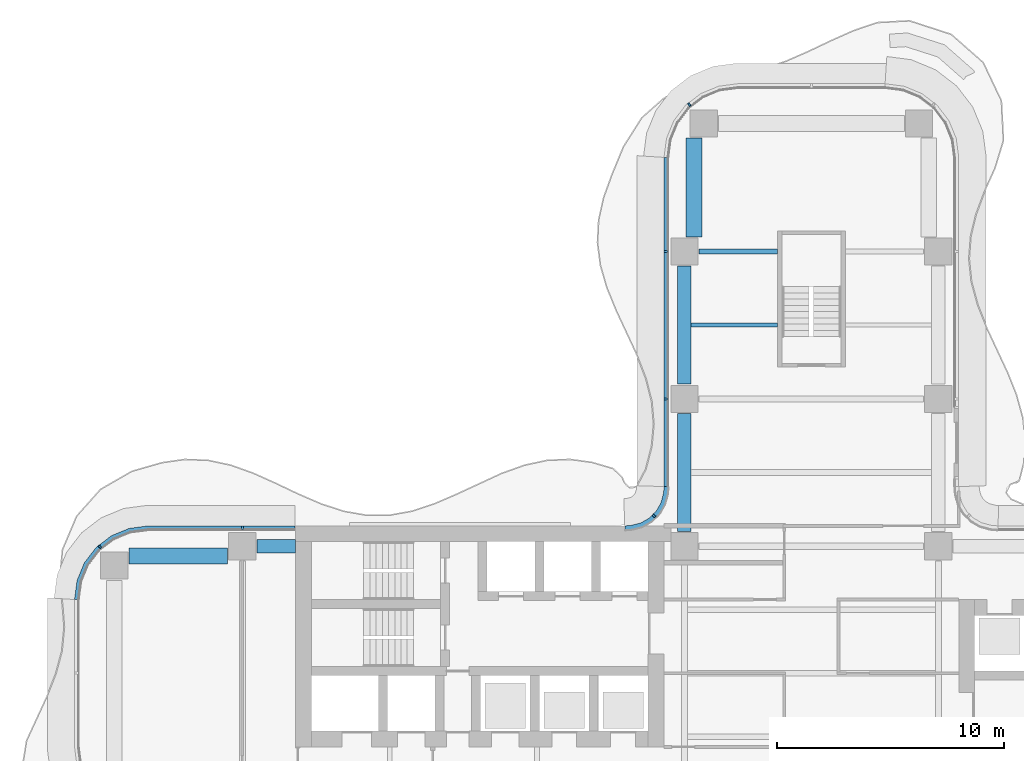
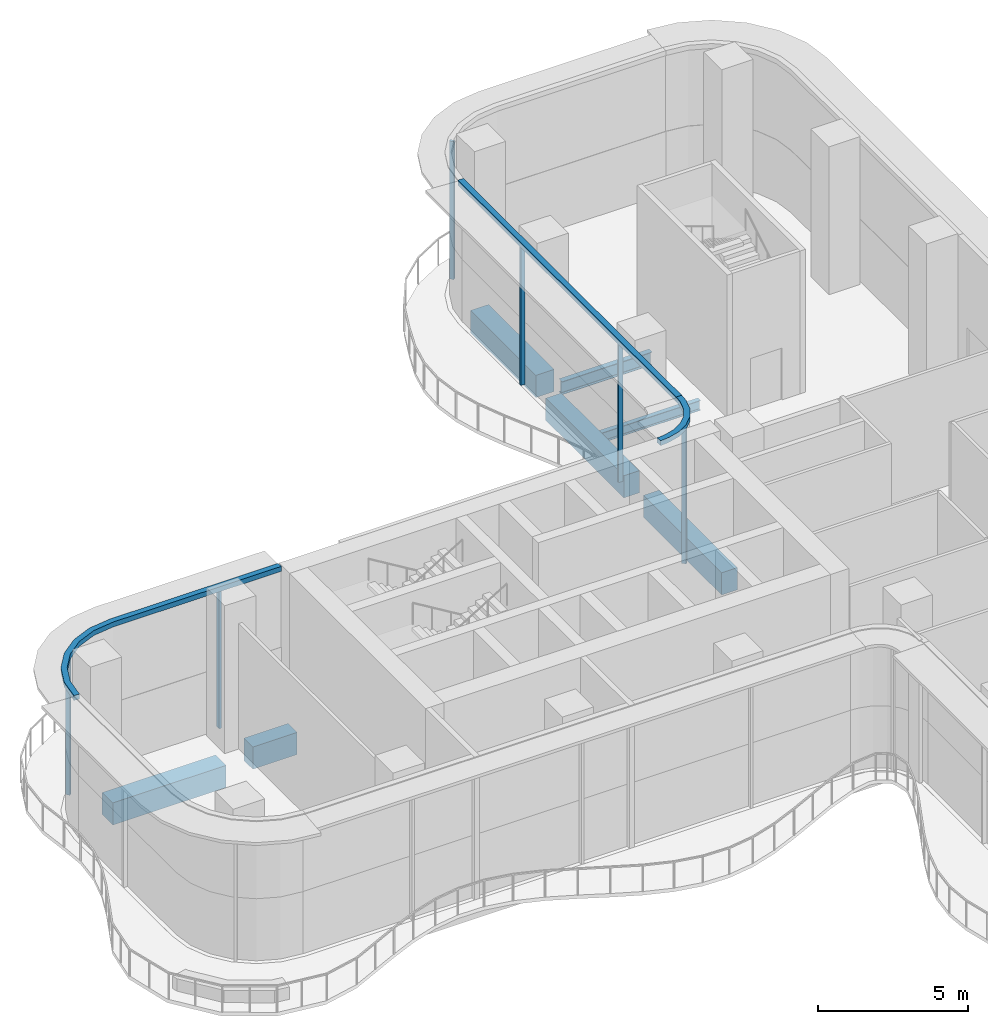
# One storey, part 6 of 19: 9 members, 7 beams, 4 elements without a shape of their own.
"""IFC4 building model written with IfcOpenShell, lengths in metres."""

import ifcopenshell
import ifcopenshell.guid

model = None  # the IFC model being written
_history = None  # IfcOwnerHistory: only IFC2X3 demands one
_inside = {}  # id of a spatial element -> (the spatial element, [elements in it])
_under = {}  # id of a project, library or spatial element -> (it, [spatial elements below it])
_declared = {}  # id of a project -> (the project, [libraries it declares])
_typed = {}  # id of a type object -> (the type object, [elements of that type])
_made_of = {}  # id of a material, layer set ... -> (it, [elements and type objects made of it])


def new_model(schema):
    """Start an empty IFC model of exactly this schema.

    Asked for "IFC4X3", IfcOpenShell would pick the latest addendum, in which some entities
    have other attributes; the version numbers below select the first issue.
    IFC2X3 requires an IfcOwnerHistory on every rooted entity: one is made here for all.
    """
    global model, _history
    if schema == "IFC4X3":
        model = ifcopenshell.file(schema_version=(4, 3, 0, 0))
    else:
        model = ifcopenshell.file(schema=schema)
    _inside.clear()
    _under.clear()
    _declared.clear()
    _typed.clear()
    _made_of.clear()
    _history = None
    if model.schema == "IFC2X3":
        org = make("IfcOrganization", Name="unknown")
        user = make(
            "IfcPersonAndOrganization",
            ThePerson=make("IfcPerson", FamilyName="unknown"),
            TheOrganization=org,
        )
        app = make(
            "IfcApplication",
            ApplicationDeveloper=org,
            Version="unknown",
            ApplicationFullName="unknown",
            ApplicationIdentifier="unknown",
        )
        _history = make(
            "IfcOwnerHistory",
            OwningUser=user,
            OwningApplication=app,
            ChangeAction="ADDED",
            CreationDate=0,
        )
    return model


def make(cls, **values):
    """One entity of the class cls with the attributes given. An attribute that is None is left unset."""
    return model.create_entity(
        cls, **{name: value for name, value in values.items() if value is not None}
    )


def rooted(cls, **values):
    """An entity with a GlobalId (a new one), such as an element, a storey or a relation."""
    return make(cls, GlobalId=ifcopenshell.guid.new(), OwnerHistory=_history, **values)


def si_unit(unit_type, name, prefix=None):
    """IfcSIUnit, for example si_unit("LENGTHUNIT", "METRE", prefix="MILLI")."""
    return make("IfcSIUnit", UnitType=unit_type, Prefix=prefix, Name=name)


def assignment(units):
    """IfcUnitAssignment: the units of a project."""
    return None if units is None else make("IfcUnitAssignment", Units=units)


def point(xyz):
    """IfcCartesianPoint."""
    return None if xyz is None else make("IfcCartesianPoint", Coordinates=xyz)


def direction(xyz):
    """IfcDirection."""
    return None if xyz is None else make("IfcDirection", DirectionRatios=xyz)


def frame(location, z_axis=None, x_axis=None):
    """IfcAxis2Placement3D, a coordinate frame: its origin and axes. An axis left out is left unset."""
    return make(
        "IfcAxis2Placement3D",
        Location=point(location),
        Axis=direction(z_axis),
        RefDirection=direction(x_axis),
    )


def frame_2d(location, x_axis=None):
    """IfcAxis2Placement2D, a coordinate frame in the plane: its origin and x axis."""
    return make(
        "IfcAxis2Placement2D", Location=point(location), RefDirection=direction(x_axis)
    )


def origin():
    """The frame at (0, 0, 0) with its axes left unset."""
    return frame((0.0, 0.0, 0.0))


def origin_2d():
    """The frame at (0, 0) in the plane with its x axis left unset."""
    return frame_2d((0.0, 0.0))


def place(relative_to, where):
    """IfcLocalPlacement: puts the frame where relative to a parent placement (None: the world)."""
    return make(
        "IfcLocalPlacement", PlacementRelTo=relative_to, RelativePlacement=where
    )


def context(
    kind, dimensions, precision=None, world=None, true_north=None, identifier=None
):
    """IfcGeometricRepresentationContext, for example the 3D "Model" context."""
    return make(
        "IfcGeometricRepresentationContext",
        ContextIdentifier=identifier,
        ContextType=kind,
        CoordinateSpaceDimension=dimensions,
        Precision=precision,
        WorldCoordinateSystem=world,
        TrueNorth=true_north,
    )


def subcontext(parent, identifier, kind, view, scale=None):
    """IfcGeometricRepresentationSubContext, for example "Body" below "Model"."""
    return make(
        "IfcGeometricRepresentationSubContext",
        ContextIdentifier=identifier,
        ContextType=kind,
        ParentContext=parent,
        TargetScale=scale,
        TargetView=view,
    )


def project(units=None, contexts=None):
    """IfcProject with its units and contexts."""
    return rooted(
        "IfcProject",
        Name="project",
        RepresentationContexts=contexts,
        UnitsInContext=assignment(units),
    )


def spatial(cls, under=None, at=None, **own):
    """A site, building, storey or space (cls), placed at a placement, below another one or the project."""
    s = rooted(cls, ObjectPlacement=at, **own)
    if under is not None:
        _under.setdefault(under.id(), (under, []))[1].append(s)
    return s


def polyline(points):
    """IfcPolyline through the points."""
    return make("IfcPolyline", Points=[point(p) for p in points])


def profile(cls, at=None, kind="AREA", **sizes):
    """A parametric profile (cls). Its sizes go by their IFC names, for example OverallWidth=200.0."""
    return make(cls, ProfileType=kind, Position=at, **sizes)


def rectangle(**sizes):
    """IfcRectangleProfileDef."""
    return profile("IfcRectangleProfileDef", **sizes)


def i_section(**sizes):
    """IfcIShapeProfileDef."""
    return profile("IfcIShapeProfileDef", **sizes)


def outline(outer, holes=None, kind="AREA"):
    """IfcArbitraryClosedProfileDef: a profile drawn as a closed curve; with holes, ...WithVoids."""
    if holes is None:
        return make("IfcArbitraryClosedProfileDef", ProfileType=kind, OuterCurve=outer)
    return make(
        "IfcArbitraryProfileDefWithVoids",
        ProfileType=kind,
        OuterCurve=outer,
        InnerCurves=holes,
    )


def extrude(swept, where, along, depth):
    """IfcExtrudedAreaSolid: the profile swept, set in the frame where, extruded along a direction by depth."""
    return make(
        "IfcExtrudedAreaSolid",
        SweptArea=swept,
        Position=where,
        ExtrudedDirection=direction(along),
        Depth=depth,
    )


def shape(context_of_items, identifier, shape_type, items):
    """IfcShapeRepresentation: the items that make up one representation, for example the "Body"."""
    return make(
        "IfcShapeRepresentation",
        ContextOfItems=context_of_items,
        RepresentationIdentifier=identifier,
        RepresentationType=shape_type,
        Items=items,
    )


def source(mapping_origin, context_of_items, identifier, shape_type, items):
    """IfcRepresentationMap: a shape defined once, which mapped items show again and again."""
    return make(
        "IfcRepresentationMap",
        MappingOrigin=mapping_origin,
        MappedRepresentation=shape(context_of_items, identifier, shape_type, items),
    )


def transform(
    local_origin,
    x_axis=None,
    y_axis=None,
    z_axis=None,
    scale=None,
    scale2=None,
    scale3=None,
    uniform=True,
):
    """IfcCartesianTransformationOperator3D, or its non-uniform kind. x_axis, y_axis, z_axis: its Axis1, 2, 3."""
    if uniform:
        return make(
            "IfcCartesianTransformationOperator3D",
            Axis1=direction(x_axis),
            Axis2=direction(y_axis),
            LocalOrigin=point(local_origin),
            Scale=scale,
            Axis3=direction(z_axis),
        )
    return make(
        "IfcCartesianTransformationOperator3DnonUniform",
        Axis1=direction(x_axis),
        Axis2=direction(y_axis),
        LocalOrigin=point(local_origin),
        Scale=scale,
        Axis3=direction(z_axis),
        Scale2=scale2,
        Scale3=scale3,
    )


def mapped(mapping_source, mapping_target):
    """IfcMappedItem: shows the shape of a source again, moved by a transform."""
    return make(
        "IfcMappedItem", MappingSource=mapping_source, MappingTarget=mapping_target
    )


def material(Name=None, Category=None):
    """IfcMaterial."""
    return make("IfcMaterial", Name=Name, Category=Category)


def layer(
    of_material, thickness, ventilated=None, Name=None, Category=None, Priority=None
):
    """IfcMaterialLayer: one layer of a wall or slab, of a material (None: an air gap)."""
    return make(
        "IfcMaterialLayer",
        Material=of_material,
        LayerThickness=thickness,
        IsVentilated=ventilated,
        Name=Name,
        Category=Category,
        Priority=Priority,
    )


def layer_set(layers, Name=None):
    """IfcMaterialLayerSet."""
    return make("IfcMaterialLayerSet", MaterialLayers=layers, LayerSetName=Name)


def material_profile(
    of_material, cross_section, Name=None, Category=None, Priority=None
):
    """IfcMaterialProfile: a cross section and its material."""
    return make(
        "IfcMaterialProfile",
        Name=Name,
        Material=of_material,
        Profile=cross_section,
        Priority=Priority,
        Category=Category,
    )


def profile_set(profiles, Name=None, composite=None):
    """IfcMaterialProfileSet."""
    return make(
        "IfcMaterialProfileSet",
        Name=Name,
        MaterialProfiles=profiles,
        CompositeProfile=composite,
    )


def made_of(thing, what):
    """Note that an element or type object is made of a material, layer set ...; save() writes the relation."""
    if what is not None:
        _made_of.setdefault(what.id(), (what, []))[1].append(thing)
    return thing


def type_object(cls, material=None, **own):
    """A type object (cls), such as IfcWallType, which elements share."""
    return made_of(rooted(cls, **own), material)


def element(
    cls,
    number,
    at=None,
    inside=None,
    cuts=None,
    type_object=None,
    material=None,
    context=None,
    identifier="Body",
    shape_type=None,
    held_by="IfcProductDefinitionShape",
    body=None,
    shapes=None,
    **own,
):
    """One element of the class cls, such as IfcWall. Its Tag is "e" and its number.

    at: its placement. inside: the storey or other place that contains it. cuts: it is an
    opening in that element (IfcRelVoidsElement). A single representation is given by context,
    identifier, shape_type and body (its items); several are given by shapes. held_by: the class
    of the entity that holds the representations. save() writes the other relations.
    """
    e = rooted(cls, Tag="e%d" % number, ObjectPlacement=at, **own)
    if body is not None:
        shapes = [shape(context, identifier, shape_type, body)]
    if shapes is not None:
        e.Representation = make(held_by, Representations=shapes)
    if inside is not None:
        _inside.setdefault(inside.id(), (inside, []))[1].append(e)
    if cuts is not None:
        rooted(
            "IfcRelVoidsElement", RelatingBuildingElement=cuts, RelatedOpeningElement=e
        )
    if type_object is not None:
        _typed.setdefault(type_object.id(), (type_object, []))[1].append(e)
    return made_of(e, material)


def aggregate(whole, parts):
    """IfcRelAggregates: a whole, such as a stair, and the parts it consists of."""
    return rooted("IfcRelAggregates", RelatingObject=whole, RelatedObjects=parts)


def save(model, path):
    """Write the relations noted so far, then the file.

    IfcRelAggregates (storeys below a building ...), IfcRelContainedInSpatialStructure (elements
    in a storey), IfcRelDefinesByType, IfcRelAssociatesMaterial and IfcRelDeclares: one each for
    every whole, place, type object, material and project.
    """
    for whole, parts in _under.values():
        aggregate(whole, parts)
    for where, things in _inside.values():
        rooted(
            "IfcRelContainedInSpatialStructure",
            RelatedElements=things,
            RelatingStructure=where,
        )
    for kind, things in _typed.values():
        rooted("IfcRelDefinesByType", RelatedObjects=things, RelatingType=kind)
    for what, things in _made_of.values():
        rooted("IfcRelAssociatesMaterial", RelatedObjects=things, RelatingMaterial=what)
    for by, libraries in _declared.values():
        rooted("IfcRelDeclares", RelatingContext=by, RelatedDefinitions=libraries)
    model.write(path)


model = new_model("IFC4")

# Units and contexts
model_context = context("Model", 3, precision=1e-05, world=origin(), true_north=direction((0.0, 1.0)))
body_context = subcontext(model_context, "Body", "Model", "MODEL_VIEW")
ifc_project = project(units=[si_unit("LENGTHUNIT", "METRE"), si_unit("AREAUNIT", "SQUARE_METRE"), si_unit("VOLUMEUNIT", "CUBIC_METRE"), si_unit("PLANEANGLEUNIT", "RADIAN"), si_unit("MASSUNIT", "GRAM", prefix="KILO")], contexts=[model_context])

# Site, building, storey
site_placement = place(None, origin())
site = spatial("IfcSite", under=ifc_project, at=site_placement, CompositionType="ELEMENT")
building_placement = place(site_placement, origin())
building = spatial("IfcBuilding", under=site, at=building_placement, Name="Trellis Farm Tower", CompositionType="ELEMENT")
storey_placement = place(building_placement, frame((0.0, 0.0, 156.0)))
storey = spatial("IfcBuildingStorey", under=building, at=storey_placement, Name="L33", CompositionType="ELEMENT", Elevation=156.0)

# Beams
ifc_material_1 = material(Name="Steel S355", Category="steel")
ifc_material_profile_1 = material_profile(ifc_material_1, i_section(OverallWidth=0.177978515625, OverallDepth=0.406494140625, WebThickness=0.0078125, FlangeThickness=0.0126953125, FilletRadius=0.01025390625, at=origin_2d()), Name="UB 406x178x60")
ifc_profile_set_1 = profile_set([ifc_material_profile_1], Name="Steel S355")
beam_type_1 = type_object("IfcBeamType", Name="UB 406x178x60 joist", PredefinedType="JOIST", material=ifc_profile_set_1)
shared_shape_1 = source(origin(), body_context, "Body", "SweptSolid", [
    extrude(i_section(OverallWidth=0.177978515625, OverallDepth=0.406494140625, WebThickness=0.0078125, FlangeThickness=0.0126953125, FilletRadius=0.01025390625, at=origin_2d()), origin(), (0.0, 0.0, 1.0), 3.800048828125),
])
beam_1_placement = place(storey_placement, frame((-5.300048828125, 15.35009765625, -0.55322265625), z_axis=(1.0, 0.0, 0.0), x_axis=(0.0, 1.0, 0.0)))
element("IfcBeam", 1, at=beam_1_placement, inside=storey, type_object=beam_type_1, Name="Floor beam", PredefinedType="JOIST", context=body_context, shape_type="MappedRepresentation", body=[
    mapped(shared_shape_1, transform((0.0, 0.0, 0.0))),
])
ifc_material_profile_2 = material_profile(ifc_material_1, i_section(OverallWidth=0.209228515625, OverallDepth=0.533203125, WebThickness=0.010009765625, FlangeThickness=0.015625, FilletRadius=0.0126953125, at=origin_2d()), Name="UB 533x210x92")
ifc_profile_set_2 = profile_set([ifc_material_profile_2], Name="Steel S355")
beam_type_2 = type_object("IfcBeamType", Name="UB 533x210x92", PredefinedType="BEAM", material=ifc_profile_set_2)
shared_shape_2 = source(origin(), body_context, "Body", "SweptSolid", [
    extrude(i_section(OverallWidth=0.209228515625, OverallDepth=0.533203125, WebThickness=0.010009765625, FlangeThickness=0.015625, FilletRadius=0.0126953125, at=origin_2d()), origin(), (0.0, 0.0, 1.0), 3.449951171875),
])
beam_2_placement = place(storey_placement, frame((-4.949951171875, 18.60009765625, -0.616455078125), z_axis=(1.0, 0.0, 0.0), x_axis=(0.0, 1.0, 0.0)))
element("IfcBeam", 2, at=beam_2_placement, inside=storey, type_object=beam_type_2, Name="Girder", PredefinedType="BEAM", context=body_context, shape_type="MappedRepresentation", body=[
    mapped(shared_shape_2, transform((0.0, 0.0, 0.0))),
])
ifc_material_2 = material(Name="Concrete C60/75", Category="concrete")
ifc_material_profile_3 = material_profile(ifc_material_2, rectangle(XDim=0.60009765625, YDim=0.89990234375, at=origin_2d()), Name="RC spandrel beam 600x900 C60/75")
ifc_profile_set_3 = profile_set([ifc_material_profile_3], Name="Concrete C60/75")
beam_type_3 = type_object("IfcBeamType", Name="RC spandrel beam 600x900 C60/75", PredefinedType="SPANDREL", material=ifc_profile_set_3)
shared_shape_3 = source(origin(), body_context, "Body", "SweptSolid", [
    extrude(rectangle(XDim=0.60009765625, YDim=0.89990234375, at=origin_2d()), origin(), (0.0, 0.0, 1.0), 1.699951171875),
])
beam_3_placement = place(storey_placement, frame((-24.449951171875, 5.60009765625, -0.800048828125), z_axis=(1.0, 0.0, 0.0), x_axis=(0.0, 1.0, 0.0)))
element("IfcBeam", 3, at=beam_3_placement, inside=storey, type_object=beam_type_3, Name="Girder", PredefinedType="SPANDREL", context=body_context, shape_type="MappedRepresentation", body=[
    mapped(shared_shape_3, transform((0.0, 0.0, 0.0))),
])
shared_shape_4 = source(origin(), body_context, "Body", "SweptSolid", [
    extrude(rectangle(XDim=0.60009765625, YDim=0.89990234375, at=origin_2d()), origin(), (0.0, 0.0, 1.0), 5.199951171875),
])
for number, where, z_axis, x_axis, name in (
    (4, (-5.60009765625, 6.25, -0.800048828125), (0.0, 1.0, 0.0), (-1.0, 0.0, 0.0), "Girder"),
    (5, (-5.60009765625, 12.75, -0.800048828125), (0.0, 1.0, 0.0), (-1.0, 0.0, 0.0), "Girder"),
):
    element("IfcBeam", number, at=place(storey_placement, frame(where, z_axis=z_axis, x_axis=x_axis)), inside=storey, type_object=beam_type_3, Name=name, PredefinedType="SPANDREL", context=body_context, shape_type="MappedRepresentation", body=[
        mapped(shared_shape_4, transform((0.0, 0.0, 0.0))),
    ])
ifc_material_profile_4 = material_profile(ifc_material_2, rectangle(XDim=0.699951171875, YDim=0.89990234375, at=origin_2d()), Name="RC spandrel beam 700x900 C60/75")
ifc_profile_set_4 = profile_set([ifc_material_profile_4], Name="Concrete C60/75")
beam_type_4 = type_object("IfcBeamType", Name="RC spandrel beam 700x900 C60/75", PredefinedType="SPANDREL", material=ifc_profile_set_4)
shared_shape_5 = source(origin(), body_context, "Body", "SweptSolid", [
    extrude(rectangle(XDim=0.699951171875, YDim=0.89990234375, at=origin_2d()), origin(), (0.0, 0.0, 1.0), 4.35009765625),
])
for number, where, z_axis, x_axis, name in (
    (6, (-30.10009765625, 5.175048828125, -0.800048828125), (1.0, 0.0, 0.0), (0.0, 1.0, 0.0), "Girder"),
    (7, (-5.175048828125, 19.25, -0.800048828125), (0.0, 1.0, 0.0), (-1.0, 0.0, 0.0), "Girder"),
):
    element("IfcBeam", number, at=place(storey_placement, frame(where, z_axis=z_axis, x_axis=x_axis)), inside=storey, type_object=beam_type_4, Name=name, PredefinedType="SPANDREL", context=body_context, shape_type="MappedRepresentation", body=[
        mapped(shared_shape_5, transform((0.0, 0.0, 0.0))),
    ])

# Curtain wall, member
ifc_material_3 = material(Name="Aluminium and glass curtain wall", Category="aluminium")
ifc_layer_1 = layer(ifc_material_3, 0.196044921875)
ifc_layer_set_1 = layer_set([ifc_layer_1], Name="LOUVRED GLASS CURTAIN WALL CW6")
curtain_wall_type = type_object("IfcCurtainWallType", Name="LOUVRED GLASS CURTAIN WALL CW6", PredefinedType="NOTDEFINED", material=ifc_layer_set_1)
placement_1 = place(storey_placement, origin())
curtain_wall_1 = element("IfcCurtainWall", 8, at=placement_1, inside=storey, type_object=curtain_wall_type, Name="CW6 013", PredefinedType="NOTDEFINED")
ifc_material_4 = material(Name="Aluminium extrusion 6063-T6", Category="aluminium")
ifc_material_profile_5 = material_profile(ifc_material_4, rectangle(XDim=0.090087890625, YDim=0.159912109375, at=origin_2d()), Name="MULLION 90x160")
ifc_profile_set_5 = profile_set([ifc_material_profile_5], Name="Aluminium extrusion 6063-T6")
member_type_1 = type_object("IfcMemberType", Name="CW6 MULLION 90x160", PredefinedType="MULLION", material=ifc_profile_set_5)
shared_shape_6 = source(origin(), body_context, "Body", "SweptSolid", [
    extrude(rectangle(XDim=0.090087890625, YDim=0.159912109375, at=origin_2d()), origin(), (0.0, 0.0, 1.0), 5.60009765625),
])
member_1_placement = place(storey_placement, frame((-5.382568359375, 25.07421875, 0.0), z_axis=(0.0, 0.0, 1.0), x_axis=(-0.793353340291, -0.608761429009, 0.0)))
member_1 = element("IfcMember", 9, at=member_1_placement, type_object=member_type_1, Name="MU6 013-02", PredefinedType="MULLION", context=body_context, shape_type="MappedRepresentation", body=[
    mapped(shared_shape_6, transform((0.0, 0.0, 0.0))),
])
aggregate(curtain_wall_1, [member_1])

# Curtain wall, members
curtain_wall_2 = element("IfcCurtainWall", 10, at=placement_1, inside=storey, type_object=curtain_wall_type, Name="CW6 014", PredefinedType="NOTDEFINED")
member_2_placement = place(storey_placement, frame((-6.419921875, 18.60009765625, 0.0), z_axis=(0.0, 0.0, 1.0), x_axis=(0.0, -1.0, 0.0)))
member_2 = element("IfcMember", 11, at=member_2_placement, type_object=member_type_1, Name="MU6 014-01", PredefinedType="MULLION", context=body_context, shape_type="MappedRepresentation", body=[
    mapped(shared_shape_6, transform((0.0, 0.0, 0.0))),
])
member_3_placement = place(storey_placement, frame((-6.419921875, 12.10009765625, 0.0), z_axis=(0.0, 0.0, 1.0), x_axis=(0.0, -1.0, 0.0)))
member_3 = element("IfcMember", 12, at=member_3_placement, type_object=member_type_1, Name="MU6 014-02", PredefinedType="MULLION", context=body_context, shape_type="MappedRepresentation", body=[
    mapped(shared_shape_6, transform((0.0, 0.0, 0.0))),
])

# Curtain wall, member
curtain_wall_3 = element("IfcCurtainWall", 13, at=placement_1, inside=storey, type_object=curtain_wall_type, Name="CW6 015", PredefinedType="NOTDEFINED")
member_4_placement = place(storey_placement, frame((-6.93896484375, 6.93896484375, 0.0), z_axis=(0.0, 0.0, 1.0), x_axis=(-0.707106781187, -0.707106781187, 0.0)))
member_4 = element("IfcMember", 14, at=member_4_placement, type_object=member_type_1, Name="MU6 015-01", PredefinedType="MULLION", context=body_context, shape_type="MappedRepresentation", body=[
    mapped(shared_shape_6, transform((0.0, 0.0, 0.0))),
])

# Curtain wall, members
curtain_wall_4 = element("IfcCurtainWall", 15, at=placement_1, inside=storey, type_object=curtain_wall_type, Name="CW6 016", PredefinedType="NOTDEFINED")
member_5_placement = place(storey_placement, frame((-25.10009765625, 6.419921875, 0.0), z_axis=(0.0, 0.0, 1.0), x_axis=(-1.0, 0.0, 0.0)))
member_5 = element("IfcMember", 16, at=member_5_placement, type_object=member_type_1, Name="MU6 016-01", PredefinedType="MULLION", context=body_context, shape_type="MappedRepresentation", body=[
    mapped(shared_shape_6, transform((0.0, 0.0, 0.0))),
])
member_6_placement = place(storey_placement, frame((-31.382568359375, 5.57421875, 0.0), z_axis=(0.0, 0.0, 1.0), x_axis=(-0.793353340291, -0.608761429009, 0.0)))
member_6 = element("IfcMember", 17, at=member_6_placement, type_object=member_type_1, Name="MU6 016-02", PredefinedType="MULLION", context=body_context, shape_type="MappedRepresentation", body=[
    mapped(shared_shape_6, transform((0.0, 0.0, 0.0))),
])

# Member
ifc_layer_2 = layer(ifc_material_4, 0.2099609375)
ifc_layer_set_2 = layer_set([ifc_layer_2], Name="Aluminium extrusion 6063-T6")
member_type_2 = type_object("IfcMemberType", Name="CW6 TRANSOM 210x200", PredefinedType="USERDEFINED", material=ifc_layer_set_2)
shared_shape_7 = source(origin(), body_context, "Body", "SweptSolid", [
    extrude(outline(polyline([(-6.5, 22.75), (-6.5, 8.2314453125), (-6.2900390625, 8.224609375), (-6.2900390625, 22.736328125), (-6.5, 22.75)])), origin(), (0.0, 0.0, 1.0), 0.199951171875),
])
placement_2 = place(storey_placement, frame((0.0, 0.0, 5.60009765625)))
member_7 = element("IfcMember", 18, at=placement_2, type_object=member_type_2, Name="TR6 014", ObjectType="TRANSOM", PredefinedType="USERDEFINED", context=body_context, shape_type="MappedRepresentation", body=[
    mapped(shared_shape_7, transform((0.0, 0.0, 0.0))),
])

aggregate(curtain_wall_2, [member_2, member_3, member_7])

shared_shape_8 = source(origin(), body_context, "Body", "SweptSolid", [
    extrude(outline(polyline([(-6.5, 8.2314453125), (-6.513916015625, 8.01953125), (-6.527587890625, 7.91552734375), (-6.63671875, 7.508544921875), (-6.846923828125, 7.144287109375), (-7.144287109375, 6.846923828125), (-7.508544921875, 6.63671875), (-7.91552734375, 6.527587890625), (-8.01953125, 6.513916015625), (-8.2314453125, 6.5), (-8.224609375, 6.2900390625), (-7.9990234375, 6.3046875), (-7.87451171875, 6.321044921875), (-7.427490234375, 6.44091796875), (-7.015380859375, 6.678955078125), (-6.678955078125, 7.015380859375), (-6.44091796875, 7.427490234375), (-6.321044921875, 7.87451171875), (-6.3046875, 7.9990234375), (-6.2900390625, 8.224609375), (-6.5, 8.2314453125)])), origin(), (0.0, 0.0, 1.0), 0.199951171875),
])
member_8 = element("IfcMember", 19, at=placement_2, type_object=member_type_2, Name="TR6 015", ObjectType="TRANSOM", PredefinedType="USERDEFINED", context=body_context, shape_type="MappedRepresentation", body=[
    mapped(shared_shape_8, transform((0.0, 0.0, 0.0))),
])

aggregate(curtain_wall_3, [member_4, member_8])

shared_shape_9 = source(origin(), body_context, "Body", "SweptSolid", [
    extrude(outline(polyline([(-22.780029296875, 6.5), (-29.25, 6.5), (-30.091064453125, 6.38916015625), (-30.875, 6.064697265625), (-31.548095703125, 5.548095703125), (-32.064697265625, 4.875), (-32.38916015625, 4.091064453125), (-32.5, 3.25), (-32.2900390625, 3.236328125), (-32.1845703125, 4.036376953125), (-31.881103515625, 4.76904296875), (-31.3984375, 5.3984375), (-30.76904296875, 5.881103515625), (-30.036376953125, 6.1845703125), (-29.236328125, 6.2900390625), (-22.780029296875, 6.2900390625), (-22.780029296875, 6.5)])), origin(), (0.0, 0.0, 1.0), 0.199951171875),
])
member_9 = element("IfcMember", 20, at=placement_2, type_object=member_type_2, Name="TR6 016", ObjectType="TRANSOM", PredefinedType="USERDEFINED", context=body_context, shape_type="MappedRepresentation", body=[
    mapped(shared_shape_9, transform((0.0, 0.0, 0.0))),
])

aggregate(curtain_wall_4, [member_5, member_6, member_9])

save(model, "model.ifc")
